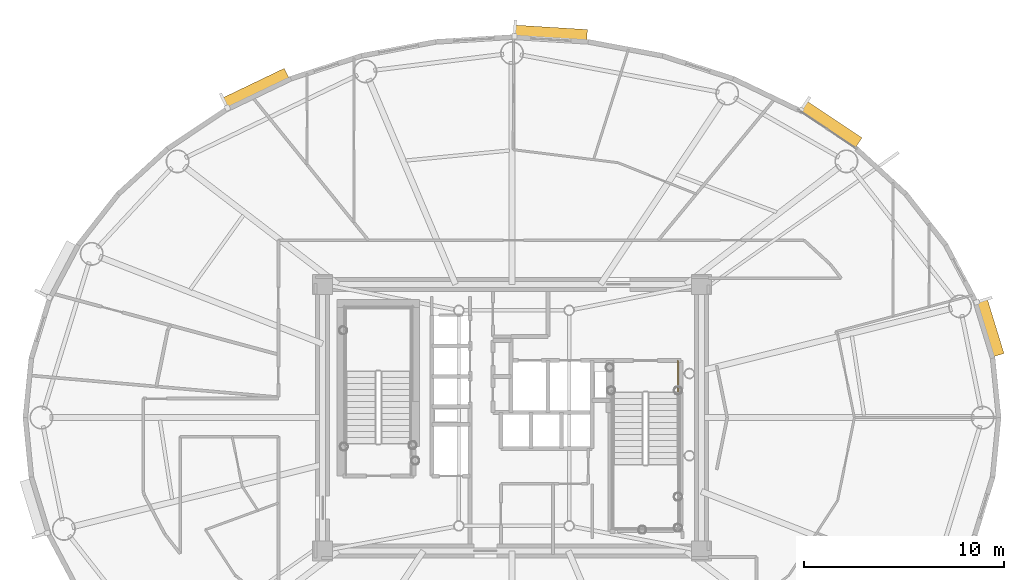
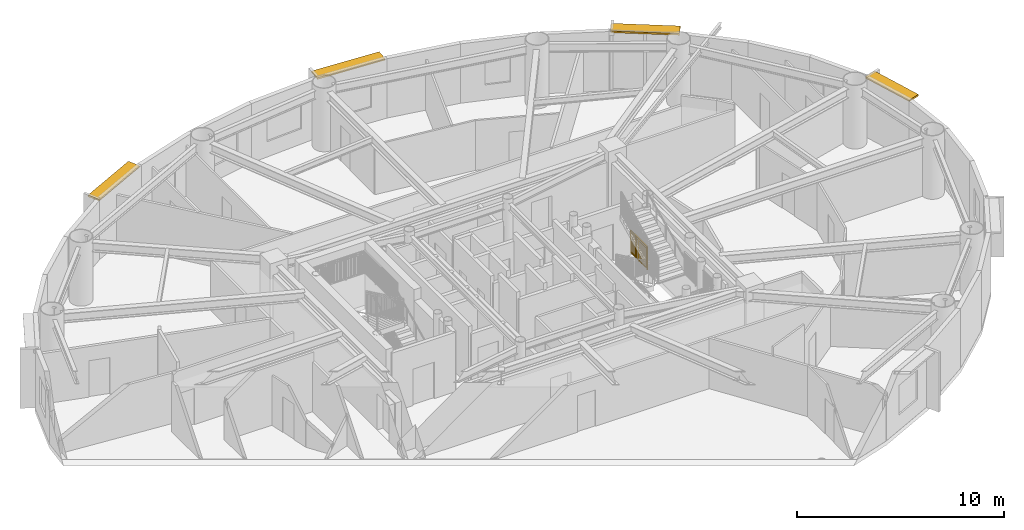
# One storey, part 18 of 18: 4 shading devices, 1 railing.
"""IFC4 building model written with IfcOpenShell, lengths in metres."""

from ifc_helpers import new_model, si_unit, direction, frame, origin, origin_2d, place, context, subcontext, project, spatial, rectangle, extrude, source, transform, mapped, material, layer, layer_set, type_object, element, save


model = new_model("IFC4")

# Units and contexts
model_context = context("Model", 3, precision=1e-05, world=origin(), true_north=direction((0.0, 1.0)))
body_context = subcontext(model_context, "Body", "Model", "MODEL_VIEW")
ifc_project = project(units=[si_unit("LENGTHUNIT", "METRE"), si_unit("AREAUNIT", "SQUARE_METRE"), si_unit("VOLUMEUNIT", "CUBIC_METRE"), si_unit("PLANEANGLEUNIT", "RADIAN"), si_unit("MASSUNIT", "GRAM", prefix="KILO")], contexts=[model_context])

# Site, building, storey
site_placement = place(None, origin())
site = spatial("IfcSite", under=ifc_project, at=site_placement, CompositionType="ELEMENT")
building_placement = place(site_placement, origin())
building = spatial("IfcBuilding", under=site, at=building_placement, Name="Linh Dai School and Residence Tower", CompositionType="ELEMENT")
storey_placement = place(building_placement, frame((0.0, 0.0, 244.050048828125)))
storey = spatial("IfcBuildingStorey", under=building, at=storey_placement, Name="L60", CompositionType="ELEMENT", Elevation=244.050048828125)

# Shading devices
ifc_material_1 = material(Name="Terracotta Ceramic Sunshade", Category="masonry")
ifc_layer = layer(ifc_material_1, 0.10009765625)
ifc_layer_set = layer_set([ifc_layer], Name="Terracotta Ceramic Sunshade")
shading_device_type = type_object("IfcShadingDeviceType", Name="SHD-TC-650", PredefinedType="USERDEFINED", material=ifc_layer_set)
shared_shape_1 = source(origin(), body_context, "Body", "SweptSolid", [
    extrude(rectangle(XDim=2.90380859375, YDim=0.64990234375, at=origin_2d()), origin(), (0.0, 0.0, 1.0), 0.10009765625),
])
shading_device_1_placement = place(storey_placement, frame((59.80615234375, 31.493408203125, 3.3798828125), z_axis=(0.0, 0.0, 1.0), x_axis=(0.2931574026, -0.956064190994, 0.0)))
element("IfcShadingDevice", 1, at=shading_device_1_placement, inside=storey, type_object=shading_device_type, Name="L60 Terracotta Horizontal Sunshade Band 02", ObjectType="SUNSHADE", PredefinedType="USERDEFINED", context=body_context, shape_type="MappedRepresentation", body=[
    mapped(shared_shape_1, transform((0.0, 0.0, 0.0), x_axis=(1.0, 0.0, 0.0), y_axis=(0.0, 1.0, 0.0), z_axis=(0.0, 0.0, 1.0), scale=1.0)),
])
shared_shape_2 = source(origin(), body_context, "Body", "SweptSolid", [
    extrude(rectangle(XDim=3.3447265625, YDim=0.64990234375, at=origin_2d()), origin(), (0.0, 0.0, 1.0), 0.10009765625),
])
shading_device_2_placement = place(storey_placement, frame((51.88671875, 41.6162109375, 3.3798828125), z_axis=(0.0, 0.0, 1.0), x_axis=(0.831257719597, -0.555887222025, 0.0)))
element("IfcShadingDevice", 2, at=shading_device_2_placement, inside=storey, type_object=shading_device_type, Name="L60 Terracotta Horizontal Sunshade Band 06", ObjectType="SUNSHADE", PredefinedType="USERDEFINED", context=body_context, shape_type="MappedRepresentation", body=[
    mapped(shared_shape_2, transform((0.0, 0.0, 0.0), x_axis=(1.0, 0.0, 0.0), y_axis=(0.0, 1.0, 0.0), z_axis=(0.0, 0.0, 1.0), scale=1.0)),
])
shared_shape_3 = source(origin(), body_context, "Body", "SweptSolid", [
    extrude(rectangle(XDim=3.656494140625, YDim=0.64990234375, at=origin_2d()), origin(), (0.0, 0.0, 1.0), 0.10009765625),
])
shading_device_3_placement = place(storey_placement, frame((37.91845703125, 46.147216796875, 3.3798828125), z_axis=(0.0, 0.0, 1.0), x_axis=(0.998106809974, -0.061504437922, 0.0)))
element("IfcShadingDevice", 3, at=shading_device_3_placement, inside=storey, type_object=shading_device_type, Name="L60 Terracotta Horizontal Sunshade Band 10", ObjectType="SUNSHADE", PredefinedType="USERDEFINED", context=body_context, shape_type="MappedRepresentation", body=[
    mapped(shared_shape_3, transform((0.0, 0.0, 0.0), x_axis=(1.0, 0.0, 0.0), y_axis=(0.0, 1.0, 0.0), z_axis=(0.0, 0.0, 1.0), scale=1.0)),
])
shared_shape_4 = source(origin(), body_context, "Body", "SweptSolid", [
    extrude(rectangle(XDim=3.459716796875, YDim=0.64990234375, at=origin_2d()), origin(), (0.0, 0.0, 1.0), 0.10009765625),
])
shading_device_4_placement = place(storey_placement, frame((23.22119140625, 43.384033203125, 3.3798828125), z_axis=(0.0, 0.0, 1.0), x_axis=(0.901588864931, 0.432593941973, 0.0)))
element("IfcShadingDevice", 4, at=shading_device_4_placement, inside=storey, type_object=shading_device_type, Name="L60 Terracotta Horizontal Sunshade Band 14", ObjectType="SUNSHADE", PredefinedType="USERDEFINED", context=body_context, shape_type="MappedRepresentation", body=[
    mapped(shared_shape_4, transform((0.0, 0.0, 0.0), x_axis=(1.0, 0.0, 0.0), y_axis=(0.0, 1.0, 0.0), z_axis=(0.0, 0.0, 1.0), scale=1.0)),
])

# Railing
ifc_material_2 = material(Name="Structural Steel S355JR", Category="steel")
railing_type = type_object("IfcRailingType", Name="RL-ST-GUARD-1400", PredefinedType="GUARDRAIL", material=ifc_material_2)
shared_shape_5 = source(origin(), body_context, "Body", "SweptSolid", [
    extrude(rectangle(XDim=0.048095703125, YDim=0.048095703125, at=origin_2d()), frame((0.0, 0.0, 1.3759765625), z_axis=(0.0, -1.0, 0.0), x_axis=(1.0, 0.0, 0.0)), (0.0, 0.0, 1.0), 1.60009765625),
    extrude(rectangle(XDim=0.048095703125, YDim=0.048095703125, at=origin_2d()), frame((0.0, 0.0, 0.10009765625), z_axis=(0.0, -1.0, 0.0), x_axis=(1.0, 0.0, 0.0)), (0.0, 0.0, 1.0), 1.60009765625),
    extrude(rectangle(XDim=0.030029296875, YDim=0.030029296875, at=origin_2d()), frame((0.0, 0.0, 1.239990234375), z_axis=(0.0, -1.0, 0.0), x_axis=(1.0, 0.0, 0.0)), (0.0, 0.0, 1.0), 1.60009765625),
    extrude(rectangle(XDim=0.02001953125, YDim=0.02001953125, at=origin_2d()), frame((0.0, -0.09423828125, 0.10009765625)), (0.0, 0.0, 1.0), 1.251708984375),
    extrude(rectangle(XDim=0.02001953125, YDim=0.02001953125, at=origin_2d()), frame((0.0, -0.188232421875, 0.10009765625)), (0.0, 0.0, 1.0), 1.251708984375),
    extrude(rectangle(XDim=0.02001953125, YDim=0.02001953125, at=origin_2d()), frame((0.0, -0.282470703125, 0.10009765625)), (0.0, 0.0, 1.0), 1.251708984375),
    extrude(rectangle(XDim=0.02001953125, YDim=0.02001953125, at=origin_2d()), frame((0.0, -0.37646484375, 0.10009765625)), (0.0, 0.0, 1.0), 1.251708984375),
    extrude(rectangle(XDim=0.02001953125, YDim=0.02001953125, at=origin_2d()), frame((0.0, -0.470703125, 0.10009765625)), (0.0, 0.0, 1.0), 1.251708984375),
    extrude(rectangle(XDim=0.02001953125, YDim=0.02001953125, at=origin_2d()), frame((0.0, -0.564697265625, 0.10009765625)), (0.0, 0.0, 1.0), 1.251708984375),
    extrude(rectangle(XDim=0.02001953125, YDim=0.02001953125, at=origin_2d()), frame((0.0, -0.658935546875, 0.10009765625)), (0.0, 0.0, 1.0), 1.251708984375),
    extrude(rectangle(XDim=0.02001953125, YDim=0.02001953125, at=origin_2d()), frame((0.0, -0.7529296875, 0.10009765625)), (0.0, 0.0, 1.0), 1.251708984375),
    extrude(rectangle(XDim=0.02001953125, YDim=0.02001953125, at=origin_2d()), frame((0.0, -0.84716796875, 0.10009765625)), (0.0, 0.0, 1.0), 1.251708984375),
    extrude(rectangle(XDim=0.02001953125, YDim=0.02001953125, at=origin_2d()), frame((0.0, -0.941162109375, 0.10009765625)), (0.0, 0.0, 1.0), 1.251708984375),
    extrude(rectangle(XDim=0.02001953125, YDim=0.02001953125, at=origin_2d()), frame((0.0, -1.035400390625, 0.10009765625)), (0.0, 0.0, 1.0), 1.251708984375),
    extrude(rectangle(XDim=0.02001953125, YDim=0.02001953125, at=origin_2d()), frame((0.0, -1.12939453125, 0.10009765625)), (0.0, 0.0, 1.0), 1.251708984375),
    extrude(rectangle(XDim=0.02001953125, YDim=0.02001953125, at=origin_2d()), frame((0.0, -1.2236328125, 0.10009765625)), (0.0, 0.0, 1.0), 1.251708984375),
    extrude(rectangle(XDim=0.02001953125, YDim=0.02001953125, at=origin_2d()), frame((0.0, -1.317626953125, 0.10009765625)), (0.0, 0.0, 1.0), 1.251708984375),
    extrude(rectangle(XDim=0.02001953125, YDim=0.02001953125, at=origin_2d()), frame((0.0, -1.411865234375, 0.10009765625)), (0.0, 0.0, 1.0), 1.251708984375),
    extrude(rectangle(XDim=0.02001953125, YDim=0.02001953125, at=origin_2d()), frame((0.0, -1.505859375, 0.10009765625)), (0.0, 0.0, 1.0), 1.251708984375),
    extrude(rectangle(XDim=0.0419921875, YDim=0.0419921875, at=origin_2d()), origin(), (0.0, 0.0, 1.0), 1.3759765625),
    extrude(rectangle(XDim=0.0419921875, YDim=0.0419921875, at=origin_2d()), frame((0.0, -0.800048828125, 0.0)), (0.0, 0.0, 1.0), 1.3759765625),
    extrude(rectangle(XDim=0.0419921875, YDim=0.0419921875, at=origin_2d()), frame((0.0, -1.60009765625, 0.0)), (0.0, 0.0, 1.0), 1.3759765625),
])
railing_placement = place(storey_placement, frame((44.27001953125, 29.85009765625, 0.0)))
element("IfcRailing", 5, at=railing_placement, inside=storey, type_object=railing_type, Name="L60 ST2 stair guard 9", PredefinedType="GUARDRAIL", context=body_context, shape_type="MappedRepresentation", body=[
    mapped(shared_shape_5, transform((0.0, 0.0, 0.0), x_axis=(1.0, 0.0, 0.0), y_axis=(0.0, 1.0, 0.0), z_axis=(0.0, 0.0, 1.0), scale=1.0)),
])

save(model, "model.ifc")
